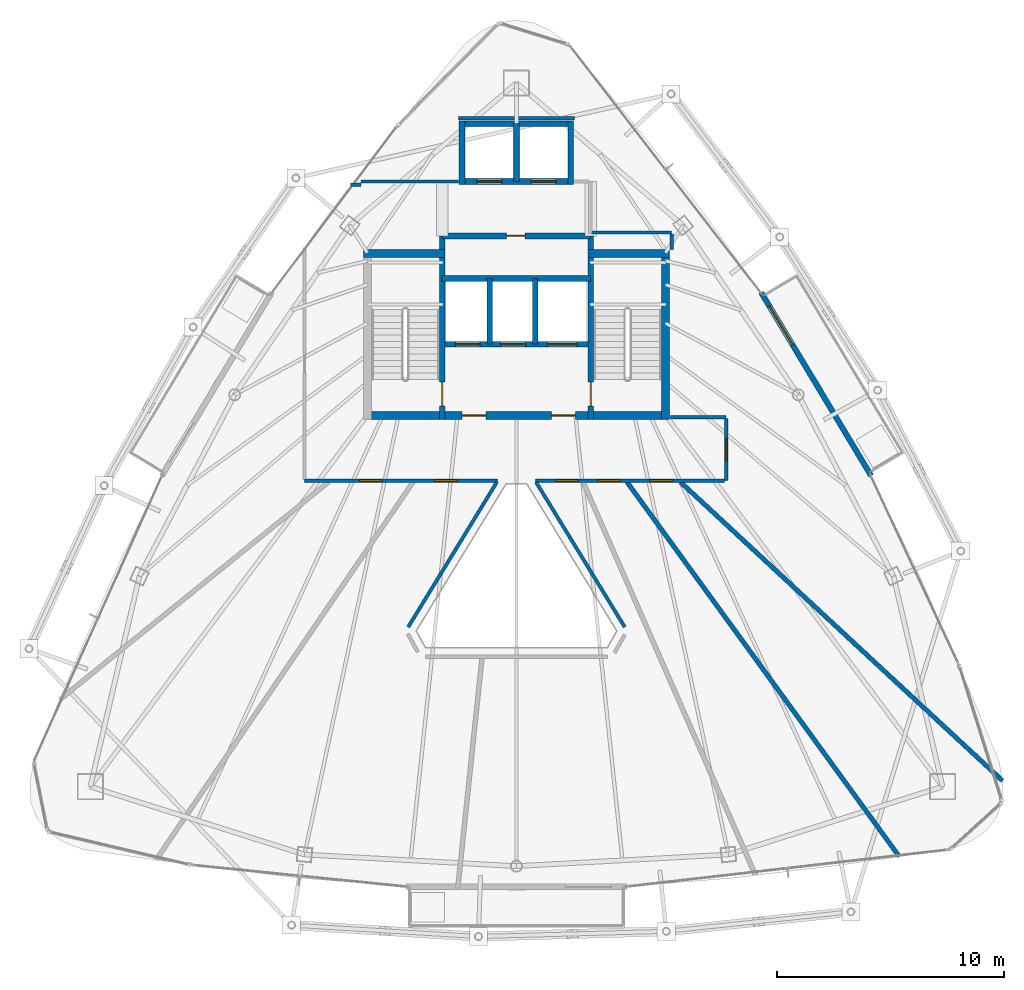
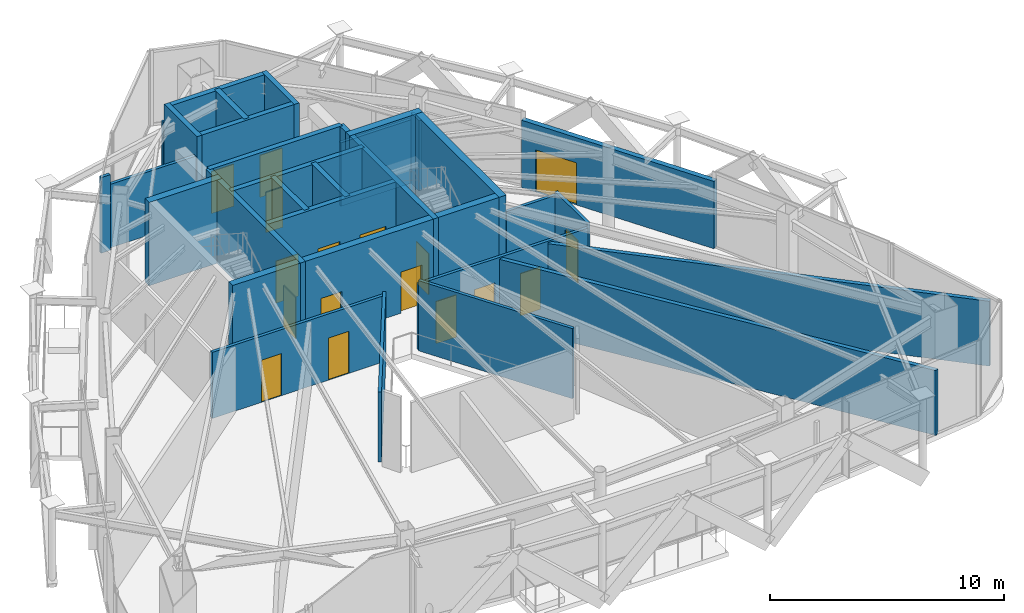
# One storey, part 19 of 22: 30 walls, 17 doors, 17 openings.
"""IFC4 building model written with IfcOpenShell, lengths in metres."""

from ifc_helpers import new_model, si_unit, direction, frame, frame_2d, origin, place, context, subcontext, project, spatial, rectangle, extrude, material, layer, layer_set, type_object, element, fill, save


model = new_model("IFC4")

# Units and contexts
model_context = context("Model", 3, precision=1e-05, world=origin(), true_north=direction((0.0, 1.0)))
body_context = subcontext(model_context, "Body", "Model", "MODEL_VIEW")
ifc_project = project(units=[si_unit("LENGTHUNIT", "METRE"), si_unit("AREAUNIT", "SQUARE_METRE"), si_unit("VOLUMEUNIT", "CUBIC_METRE"), si_unit("PLANEANGLEUNIT", "RADIAN"), si_unit("MASSUNIT", "GRAM", prefix="KILO")], contexts=[model_context])

# Site, building, storey
site_placement = place(None, origin())
site = spatial("IfcSite", under=ifc_project, at=site_placement, CompositionType="ELEMENT")
building_placement = place(site_placement, origin())
building = spatial("IfcBuilding", under=site, at=building_placement, Name="Orvanel Arch Residences", CompositionType="ELEMENT")
storey_placement = place(building_placement, frame((0.0, 0.0, 276.64990234375)))
storey = spatial("IfcBuildingStorey", under=building, at=storey_placement, Name="L79", CompositionType="ELEMENT", Elevation=276.64990234375)

# Wall, opening, door
ifc_material_1 = material(Name="Precast concrete N50 (50 MPa)", Category="concrete")
ifc_layer_1 = layer(ifc_material_1, 0.239990234375)
ifc_layer_set_1 = layer_set([ifc_layer_1], Name="Precast concrete N50 (50 MPa)")
wall_type_1 = type_object("IfcWallType", Name="EW-BAL-240", PredefinedType="SOLIDWALL", material=ifc_layer_set_1)
wall_1_placement = place(storey_placement, frame((48.64794921875, 24.069091796875, 0.0), z_axis=(0.0, 0.0, 1.0), x_axis=(-0.51434718889, 0.857582048133, 0.0)))
wall_1 = element("IfcWall", 1, at=wall_1_placement, inside=storey, type_object=wall_type_1, Name="L79 Balcony Threshold Wall Face 3", PredefinedType="SOLIDWALL", context=body_context, shape_type="SweptSolid", body=[
    extrude(rectangle(XDim=9.42529296875, YDim=0.239990234375, at=frame_2d((4.712646484375, 0.0))), origin(), (0.0, 0.0, 1.0), 3.51416015625),
])
opening_1_placement = place(wall_1_placement, frame((6.72802734375, 0.0, 0.0)))
opening_1 = element("IfcOpeningElement", 2, at=opening_1_placement, cuts=wall_1, Name="Opening DT-200", PredefinedType="OPENING", context=body_context, shape_type="SweptSolid", body=[
    extrude(rectangle(XDim=2.0, YDim=2.199951171875, at=frame_2d((1.0, 1.10009765625))), frame((0.0, 0.1298828125, 0.0), z_axis=(0.0, -1.0, 0.0), x_axis=(1.0, 0.0, 0.0)), (0.0, 0.0, 1.0), 0.260009765625),
])
ifc_material_2 = material(Name="Bronze-anodised aluminium AA6063-T6", Category="aluminium")
door_type_1 = type_object("IfcDoorType", Name="DR-TER-2000", OperationType="NOTDEFINED", PredefinedType="DOOR", material=ifc_material_2)
door_1_placement = place(opening_1_placement, origin())
door_1 = element("IfcDoor", 3, at=door_1_placement, inside=storey, type_object=door_type_1, Name="DR-L79-BAL-F3 L79 Planted Balcony Access Door Face 3", OperationType="SINGLE_SWING_LEFT", OverallHeight=2.199951171875, OverallWidth=2.0, PredefinedType="DOOR", context=body_context, shape_type="SweptSolid", body=[
    extrude(rectangle(XDim=2.0, YDim=2.199951171875, at=frame_2d((1.0, 1.10009765625))), frame((0.0, 0.02490234375, 0.0), z_axis=(0.0, -1.0, 0.0), x_axis=(1.0, 0.0, 0.0)), (0.0, 0.0, 1.0), 0.050048828125),
])
fill(opening_1, door_1)

ifc_material_3 = material(Name="Concrete N50 (50 MPa)", Category="concrete")
ifc_layer_2 = layer(ifc_material_3, 0.25)
ifc_layer_set_2 = layer_set([ifc_layer_2], Name="Concrete N50 (50 MPa)")
wall_type_2 = type_object("IfcWallType", Name="SW-CORE-250", PredefinedType="SHEAR", material=ifc_layer_set_2)
wall_2_placement = place(storey_placement, frame((29.72509765625, 26.550048828125, 0.0), z_axis=(0.0, 0.0, 1.0), x_axis=(0.0, 1.0, 0.0)))
wall_2 = element("IfcWall", 4, at=wall_2_placement, inside=storey, type_object=wall_type_2, Name="L79 West Inner Core Spine Shear Wall", PredefinedType="SHEAR", context=body_context, shape_type="SweptSolid", body=[
    extrude(rectangle(XDim=8.099853515625, YDim=0.25, at=frame_2d((4.0498046875, 0.0))), origin(), (0.0, 0.0, 1.0), 4.35009765625),
])
opening_2_placement = place(wall_2_placement, frame((0.60009765625, 0.0, 0.0)))
opening_2 = element("IfcOpeningElement", 5, at=opening_2_placement, cuts=wall_2, Name="Opening DF-120", PredefinedType="OPENING", context=body_context, shape_type="SweptSolid", body=[
    extrude(rectangle(XDim=1.050048828125, YDim=2.14990234375, at=frame_2d((0.52490234375, 1.074951171875))), frame((0.0, 0.135009765625, 0.0), z_axis=(0.0, -1.0, 0.0), x_axis=(1.0, 0.0, 0.0)), (0.0, 0.0, 1.0), 0.27001953125),
])
ifc_material_4 = material(Name="Galvanised steel fire-resisting door assembly", Category="steel")
door_type_2 = type_object("IfcDoorType", Name="DR-FD120-1050", OperationType="NOTDEFINED", PredefinedType="DOOR", material=ifc_material_4)
door_2_placement = place(opening_2_placement, origin())
door_2 = element("IfcDoor", 6, at=door_2_placement, inside=storey, type_object=door_type_2, Name="DR-L79-ST1 L79 Stair 1 Fire Door", OperationType="SINGLE_SWING_LEFT", OverallHeight=2.14990234375, OverallWidth=1.050048828125, PredefinedType="DOOR", context=body_context, shape_type="SweptSolid", body=[
    extrude(rectangle(XDim=1.050048828125, YDim=2.14990234375, at=frame_2d((0.52490234375, 1.074951171875))), frame((0.0, 0.02490234375, 0.0), z_axis=(0.0, -1.0, 0.0), x_axis=(1.0, 0.0, 0.0)), (0.0, 0.0, 1.0), 0.050048828125),
])
fill(opening_2, door_2)

wall_3_placement = place(storey_placement, frame((36.27490234375, 26.550048828125, 0.0), z_axis=(0.0, 0.0, 1.0), x_axis=(0.0, 1.0, 0.0)))
wall_3 = element("IfcWall", 7, at=wall_3_placement, inside=storey, type_object=wall_type_2, Name="L79 East Inner Core Spine Shear Wall", PredefinedType="SHEAR", context=body_context, shape_type="SweptSolid", body=[
    extrude(rectangle(XDim=8.099853515625, YDim=0.25, at=frame_2d((4.0498046875, 0.0))), origin(), (0.0, 0.0, 1.0), 4.35009765625),
])
opening_3_placement = place(wall_3_placement, frame((0.60009765625, 0.0, 0.0)))
opening_3 = element("IfcOpeningElement", 8, at=opening_3_placement, cuts=wall_3, Name="Opening DF-120", PredefinedType="OPENING", context=body_context, shape_type="SweptSolid", body=[
    extrude(rectangle(XDim=1.050048828125, YDim=2.14990234375, at=frame_2d((0.52490234375, 1.074951171875))), frame((0.0, 0.135009765625, 0.0), z_axis=(0.0, -1.0, 0.0), x_axis=(1.0, 0.0, 0.0)), (0.0, 0.0, 1.0), 0.27001953125),
])
door_3_placement = place(opening_3_placement, origin())
door_3 = element("IfcDoor", 9, at=door_3_placement, inside=storey, type_object=door_type_2, Name="DR-L79-ST2 L79 Stair 2 Fire Door", OperationType="SINGLE_SWING_RIGHT", OverallHeight=2.14990234375, OverallWidth=1.050048828125, PredefinedType="DOOR", context=body_context, shape_type="SweptSolid", body=[
    extrude(rectangle(XDim=1.050048828125, YDim=2.14990234375, at=frame_2d((0.52490234375, 1.074951171875))), frame((0.0, 0.02490234375, 0.0), z_axis=(0.0, -1.0, 0.0), x_axis=(1.0, 0.0, 0.0)), (0.0, 0.0, 1.0), 0.050048828125),
])
fill(opening_3, door_3)

# Wall, openings, doors
wall_4_placement = place(storey_placement, frame((36.27490234375, 29.875, 0.0), z_axis=(0.0, 0.0, 1.0), x_axis=(-1.0, 0.0, 0.0)))
wall_4 = element("IfcWall", 10, at=wall_4_placement, inside=storey, type_object=wall_type_2, Name="L79 Emergency Lift Front Core Shear Wall", PredefinedType="SHEAR", context=body_context, shape_type="SweptSolid", body=[
    extrude(rectangle(XDim=6.5498046875, YDim=0.25, at=frame_2d((3.27490234375, 0.0))), origin(), (0.0, 0.0, 1.0), 4.35009765625),
])
opening_4_placement = place(wall_4_placement, frame((4.875, 0.0, 0.0)))
opening_4 = element("IfcOpeningElement", 11, at=opening_4_placement, cuts=wall_4, Name="Opening LD-110", PredefinedType="OPENING", context=body_context, shape_type="SweptSolid", body=[
    extrude(rectangle(XDim=1.10009765625, YDim=2.199951171875, at=frame_2d((0.550048828125, 1.10009765625))), frame((0.0, 0.135009765625, 0.0), z_axis=(0.0, -1.0, 0.0), x_axis=(1.0, 0.0, 0.0)), (0.0, 0.0, 1.0), 0.27001953125),
])
opening_5_placement = place(wall_4_placement, frame((2.875, 0.0, 0.0)))
opening_5 = element("IfcOpeningElement", 12, at=opening_5_placement, cuts=wall_4, Name="Opening LD-110", PredefinedType="OPENING", context=body_context, shape_type="SweptSolid", body=[
    extrude(rectangle(XDim=1.10009765625, YDim=2.199951171875, at=frame_2d((0.550048828125, 1.10009765625))), frame((0.0, 0.135009765625, 0.0), z_axis=(0.0, -1.0, 0.0), x_axis=(1.0, 0.0, 0.0)), (0.0, 0.0, 1.0), 0.27001953125),
])
opening_6_placement = place(wall_4_placement, frame((0.60009765625, 0.0, 0.0)))
opening_6 = element("IfcOpeningElement", 13, at=opening_6_placement, cuts=wall_4, Name="Opening LD-130", PredefinedType="OPENING", context=body_context, shape_type="SweptSolid", body=[
    extrude(rectangle(XDim=1.300048828125, YDim=2.199951171875, at=frame_2d((0.64990234375, 1.10009765625))), frame((0.0, 0.135009765625, 0.0), z_axis=(0.0, -1.0, 0.0), x_axis=(1.0, 0.0, 0.0)), (0.0, 0.0, 1.0), 0.27001953125),
])
door_type_3 = type_object("IfcDoorType", Name="DR-LFT-1100", OperationType="NOTDEFINED", PredefinedType="DOOR", material=ifc_material_4)
door_4_placement = place(opening_4_placement, origin())
door_4 = element("IfcDoor", 14, at=door_4_placement, inside=storey, type_object=door_type_3, Name="LD-F1-L79 L79 Lift F1 Sliding Landing Door", OperationType="DOUBLE_DOOR_SLIDING", OverallHeight=2.199951171875, OverallWidth=1.10009765625, PredefinedType="DOOR", context=body_context, shape_type="SweptSolid", body=[
    extrude(rectangle(XDim=1.10009765625, YDim=2.199951171875, at=frame_2d((0.550048828125, 1.10009765625))), frame((0.0, 0.02490234375, 0.0), z_axis=(0.0, -1.0, 0.0), x_axis=(1.0, 0.0, 0.0)), (0.0, 0.0, 1.0), 0.050048828125),
])
fill(opening_4, door_4)
door_5_placement = place(opening_5_placement, origin())
door_5 = element("IfcDoor", 15, at=door_5_placement, inside=storey, type_object=door_type_3, Name="LD-F2-L79 L79 Lift F2 Sliding Landing Door", OperationType="DOUBLE_DOOR_SLIDING", OverallHeight=2.199951171875, OverallWidth=1.10009765625, PredefinedType="DOOR", context=body_context, shape_type="SweptSolid", body=[
    extrude(rectangle(XDim=1.10009765625, YDim=2.199951171875, at=frame_2d((0.550048828125, 1.10009765625))), frame((0.0, 0.02490234375, 0.0), z_axis=(0.0, -1.0, 0.0), x_axis=(1.0, 0.0, 0.0)), (0.0, 0.0, 1.0), 0.050048828125),
])
fill(opening_5, door_5)
door_type_4 = type_object("IfcDoorType", Name="DR-LFT-1300", OperationType="NOTDEFINED", PredefinedType="DOOR", material=ifc_material_4)
door_6_placement = place(opening_6_placement, origin())
door_6 = element("IfcDoor", 16, at=door_6_placement, inside=storey, type_object=door_type_4, Name="LD-G1-L79 L79 Lift G1 Sliding Landing Door", OperationType="DOUBLE_DOOR_SLIDING", OverallHeight=2.199951171875, OverallWidth=1.300048828125, PredefinedType="DOOR", context=body_context, shape_type="SweptSolid", body=[
    extrude(rectangle(XDim=1.300048828125, YDim=2.199951171875, at=frame_2d((0.64990234375, 1.10009765625))), frame((0.0, 0.02490234375, 0.0), z_axis=(0.0, -1.0, 0.0), x_axis=(1.0, 0.0, 0.0)), (0.0, 0.0, 1.0), 0.050048828125),
])
fill(opening_6, door_6)

# Walls
wall_5_placement = place(storey_placement, frame((29.72509765625, 32.77490234375, 0.0), z_axis=(0.0, 0.0, 1.0), x_axis=(1.0, 0.0, 0.0)))
element("IfcWall", 17, at=wall_5_placement, inside=storey, type_object=wall_type_2, Name="L79 Emergency Lift Back Core Shear Wall", PredefinedType="SHEAR", context=body_context, shape_type="SweptSolid", body=[
    extrude(rectangle(XDim=6.5498046875, YDim=0.25, at=frame_2d((3.27490234375, 0.0))), origin(), (0.0, 0.0, 1.0), 4.35009765625),
])
for number, where, z_axis, x_axis, name in (
    (18, (31.824951171875, 29.875, 0.0), (0.0, 0.0, 1.0), (0.0, 1.0, 0.0), "L79 Emergency Lift Inter-Shaft Wall F12"),
    (19, (33.824951171875, 29.875, 0.0), (0.0, 0.0, 1.0), (0.0, 1.0, 0.0), "L79 Emergency Lift Inter-Shaft Wall F2G"),
):
    element("IfcWall", number, at=place(storey_placement, frame(where, z_axis=z_axis, x_axis=x_axis)), inside=storey, type_object=wall_type_2, Name=name, PredefinedType="SHEAR", context=body_context, shape_type="SweptSolid", body=[
        extrude(rectangle(XDim=2.89990234375, YDim=0.25, at=frame_2d((1.449951171875, 0.0))), origin(), (0.0, 0.0, 1.0), 4.35009765625),
    ])

# Wall, opening, door
wall_6_placement = place(storey_placement, frame((29.72509765625, 34.64990234375, 0.0), z_axis=(0.0, 0.0, 1.0), x_axis=(1.0, 0.0, 0.0)))
wall_6 = element("IfcWall", 20, at=wall_6_placement, inside=storey, type_object=wall_type_2, Name="L79 Core Service Band North Shear Wall", PredefinedType="SHEAR", context=body_context, shape_type="SweptSolid", body=[
    extrude(rectangle(XDim=6.5498046875, YDim=0.25, at=frame_2d((3.27490234375, 0.0))), origin(), (0.0, 0.0, 1.0), 4.35009765625),
])
opening_7_placement = place(wall_6_placement, frame((2.840087890625, 0.0, 0.0)))
opening_7 = element("IfcOpeningElement", 21, at=opening_7_placement, cuts=wall_6, Name="Opening DS-082", PredefinedType="OPENING", context=body_context, shape_type="SweptSolid", body=[
    extrude(rectangle(XDim=0.820068359375, YDim=2.10009765625, at=frame_2d((0.41015625, 1.050048828125))), frame((0.0, 0.135009765625, 0.0), z_axis=(0.0, -1.0, 0.0), x_axis=(1.0, 0.0, 0.0)), (0.0, 0.0, 1.0), 0.27001953125),
])
door_type_5 = type_object("IfcDoorType", Name="DR-SVC-820", OperationType="NOTDEFINED", PredefinedType="DOOR", material=ifc_material_4)
door_7_placement = place(opening_7_placement, origin())
door_7 = element("IfcDoor", 22, at=door_7_placement, inside=storey, type_object=door_type_5, Name="DR-L79-CSVC-1 L79 Housekeeping Linen Store Door", OperationType="SINGLE_SWING_LEFT", OverallHeight=2.10009765625, OverallWidth=0.820068359375, PredefinedType="DOOR", context=body_context, shape_type="SweptSolid", body=[
    extrude(rectangle(XDim=0.820068359375, YDim=2.10009765625, at=frame_2d((0.41015625, 1.050048828125))), frame((0.0, 0.02490234375, 0.0), z_axis=(0.0, -1.0, 0.0), x_axis=(1.0, 0.0, 0.0)), (0.0, 0.0, 1.0), 0.050048828125),
])
fill(opening_7, door_7)

# Wall, openings, doors
wall_7_placement = place(storey_placement, frame((35.52490234375, 37.050048828125, 0.0), z_axis=(0.0, 0.0, 1.0), x_axis=(-1.0, 0.0, 0.0)))
wall_7 = element("IfcWall", 23, at=wall_7_placement, inside=storey, type_object=wall_type_2, Name="L79 Passenger Lift Bank Front Shear Wall", PredefinedType="SHEAR", context=body_context, shape_type="SweptSolid", body=[
    extrude(rectangle(XDim=5.0498046875, YDim=0.25, at=frame_2d((2.52490234375, 0.0))), origin(), (0.0, 0.0, 1.0), 4.35009765625),
])
opening_8_placement = place(wall_7_placement, frame((3.175048828125, 0.0, 0.0)))
opening_8 = element("IfcOpeningElement", 24, at=opening_8_placement, cuts=wall_7, Name="Opening LD-110", PredefinedType="OPENING", context=body_context, shape_type="SweptSolid", body=[
    extrude(rectangle(XDim=1.10009765625, YDim=2.199951171875, at=frame_2d((0.550048828125, 1.10009765625))), frame((0.0, 0.135009765625, 0.0), z_axis=(0.0, -1.0, 0.0), x_axis=(1.0, 0.0, 0.0)), (0.0, 0.0, 1.0), 0.27001953125),
])
opening_9_placement = place(wall_7_placement, frame((0.77490234375, 0.0, 0.0)))
opening_9 = element("IfcOpeningElement", 25, at=opening_9_placement, cuts=wall_7, Name="Opening LD-110", PredefinedType="OPENING", context=body_context, shape_type="SweptSolid", body=[
    extrude(rectangle(XDim=1.10009765625, YDim=2.199951171875, at=frame_2d((0.550048828125, 1.10009765625))), frame((0.0, 0.135009765625, 0.0), z_axis=(0.0, -1.0, 0.0), x_axis=(1.0, 0.0, 0.0)), (0.0, 0.0, 1.0), 0.27001953125),
])
door_8_placement = place(opening_8_placement, origin())
door_8 = element("IfcDoor", 26, at=door_8_placement, inside=storey, type_object=door_type_3, Name="LD-P5-L79 L79 Passenger Lift P5 Sliding Landing Door", OperationType="DOUBLE_DOOR_SLIDING", OverallHeight=2.199951171875, OverallWidth=1.10009765625, PredefinedType="DOOR", context=body_context, shape_type="SweptSolid", body=[
    extrude(rectangle(XDim=1.10009765625, YDim=2.199951171875, at=frame_2d((0.550048828125, 1.10009765625))), frame((0.0, 0.02490234375, 0.0), z_axis=(0.0, -1.0, 0.0), x_axis=(1.0, 0.0, 0.0)), (0.0, 0.0, 1.0), 0.050048828125),
])
fill(opening_8, door_8)
door_9_placement = place(opening_9_placement, origin())
door_9 = element("IfcDoor", 27, at=door_9_placement, inside=storey, type_object=door_type_3, Name="LD-P6-L79 L79 Passenger Lift P6 Sliding Landing Door", OperationType="DOUBLE_DOOR_SLIDING", OverallHeight=2.199951171875, OverallWidth=1.10009765625, PredefinedType="DOOR", context=body_context, shape_type="SweptSolid", body=[
    extrude(rectangle(XDim=1.10009765625, YDim=2.199951171875, at=frame_2d((0.550048828125, 1.10009765625))), frame((0.0, 0.02490234375, 0.0), z_axis=(0.0, -1.0, 0.0), x_axis=(1.0, 0.0, 0.0)), (0.0, 0.0, 1.0), 0.050048828125),
])
fill(opening_9, door_9)

# Walls
wall_8_placement = place(storey_placement, frame((30.47509765625, 39.60009765625, 0.0), z_axis=(0.0, 0.0, 1.0), x_axis=(1.0, 0.0, 0.0)))
element("IfcWall", 28, at=wall_8_placement, inside=storey, type_object=wall_type_2, Name="L79 Passenger Lift Bank North Shear Wall", PredefinedType="SHEAR", context=body_context, shape_type="SweptSolid", body=[
    extrude(rectangle(XDim=5.0498046875, YDim=0.25, at=frame_2d((2.52490234375, 0.0))), origin(), (0.0, 0.0, 1.0), 4.35009765625),
])
for number, where, z_axis, x_axis, name in (
    (29, (30.60009765625, 36.925048828125, 0.0), (0.0, 0.0, 1.0), (0.0, 1.0, 0.0), "L79 Passenger Lift Bank West Shear Wall"),
    (30, (35.39990234375, 36.925048828125, 0.0), (0.0, 0.0, 1.0), (0.0, 1.0, 0.0), "L79 Passenger Lift Bank East Shear Wall"),
):
    element("IfcWall", number, at=place(storey_placement, frame(where, z_axis=z_axis, x_axis=x_axis)), inside=storey, type_object=wall_type_2, Name=name, PredefinedType="SHEAR", context=body_context, shape_type="SweptSolid", body=[
        extrude(rectangle(XDim=2.800048828125, YDim=0.25, at=frame_2d((1.39990234375, 0.0))), origin(), (0.0, 0.0, 1.0), 4.35009765625),
    ])
wall_9_placement = place(storey_placement, frame((33.0, 37.050048828125, 0.0), z_axis=(0.0, 0.0, 1.0), x_axis=(0.0, 1.0, 0.0)))
element("IfcWall", 31, at=wall_9_placement, inside=storey, type_object=wall_type_2, Name="L79 Passenger Lift Inter-Shaft Wall P56", PredefinedType="SHEAR", context=body_context, shape_type="SweptSolid", body=[
    extrude(rectangle(XDim=2.550048828125, YDim=0.25, at=frame_2d((1.27490234375, 0.0))), origin(), (0.0, 0.0, 1.0), 4.35009765625),
])

# Wall, openings, doors
ifc_layer_3 = layer(ifc_material_3, 0.35009765625)
ifc_layer_set_3 = layer_set([ifc_layer_3], Name="Concrete N50 (50 MPa)")
wall_type_3 = type_object("IfcWallType", Name="SW-CORE-350", PredefinedType="SHEAR", material=ifc_layer_set_3)
wall_10_placement = place(storey_placement, frame((26.25, 26.72509765625, 0.0), z_axis=(0.0, 0.0, 1.0), x_axis=(1.0, 0.0, 0.0)))
wall_10 = element("IfcWall", 32, at=wall_10_placement, inside=storey, type_object=wall_type_3, Name="L79 South Core Shear Wall", PredefinedType="SHEAR", context=body_context, shape_type="SweptSolid", body=[
    extrude(rectangle(XDim=13.5, YDim=0.35009765625, at=frame_2d((6.75, 0.0))), origin(), (0.0, 0.0, 1.0), 4.35009765625),
])
opening_10_placement = place(wall_10_placement, frame((4.35009765625, 0.0, 0.0)))
opening_10 = element("IfcOpeningElement", 33, at=opening_10_placement, cuts=wall_10, Name="Opening DF-060", PredefinedType="OPENING", context=body_context, shape_type="SweptSolid", body=[
    extrude(rectangle(XDim=1.050048828125, YDim=2.14990234375, at=frame_2d((0.52490234375, 1.074951171875))), frame((0.0, 0.18505859375, 0.0), z_axis=(0.0, -1.0, 0.0), x_axis=(1.0, 0.0, 0.0)), (0.0, 0.0, 1.0), 0.3701171875),
])
opening_11_placement = place(wall_10_placement, frame((8.300048828125, 0.0, 0.0)))
opening_11 = element("IfcOpeningElement", 34, at=opening_11_placement, cuts=wall_10, Name="Opening DF-060", PredefinedType="OPENING", context=body_context, shape_type="SweptSolid", body=[
    extrude(rectangle(XDim=1.050048828125, YDim=2.14990234375, at=frame_2d((0.52490234375, 1.074951171875))), frame((0.0, 0.18505859375, 0.0), z_axis=(0.0, -1.0, 0.0), x_axis=(1.0, 0.0, 0.0)), (0.0, 0.0, 1.0), 0.3701171875),
])
door_type_6 = type_object("IfcDoorType", Name="DR-FD60-1050", OperationType="NOTDEFINED", PredefinedType="DOOR", material=ifc_material_4)
door_10_placement = place(opening_10_placement, origin())
door_10 = element("IfcDoor", 35, at=door_10_placement, inside=storey, type_object=door_type_6, Name="DR-L79-FFL-W L79 West Smoke Lobby Door", OperationType="SINGLE_SWING_LEFT", OverallHeight=2.14990234375, OverallWidth=1.050048828125, PredefinedType="DOOR", context=body_context, shape_type="SweptSolid", body=[
    extrude(rectangle(XDim=1.050048828125, YDim=2.14990234375, at=frame_2d((0.52490234375, 1.074951171875))), frame((0.0, 0.02490234375, 0.0), z_axis=(0.0, -1.0, 0.0), x_axis=(1.0, 0.0, 0.0)), (0.0, 0.0, 1.0), 0.050048828125),
])
fill(opening_10, door_10)
door_11_placement = place(opening_11_placement, origin())
door_11 = element("IfcDoor", 36, at=door_11_placement, inside=storey, type_object=door_type_6, Name="DR-L79-FFL-E L79 East Smoke Lobby Door", OperationType="SINGLE_SWING_RIGHT", OverallHeight=2.14990234375, OverallWidth=1.050048828125, PredefinedType="DOOR", context=body_context, shape_type="SweptSolid", body=[
    extrude(rectangle(XDim=1.050048828125, YDim=2.14990234375, at=frame_2d((0.52490234375, 1.074951171875))), frame((0.0, 0.02490234375, 0.0), z_axis=(0.0, -1.0, 0.0), x_axis=(1.0, 0.0, 0.0)), (0.0, 0.0, 1.0), 0.050048828125),
])
fill(opening_11, door_11)

# Walls
wall_11_placement = place(storey_placement, frame((26.25, 33.875, 0.0), z_axis=(0.0, 0.0, 1.0), x_axis=(1.0, 0.0, 0.0)))
element("IfcWall", 37, at=wall_11_placement, inside=storey, type_object=wall_type_3, Name="L79 West Stair North Shear Wall", PredefinedType="SHEAR", context=body_context, shape_type="SweptSolid", body=[
    extrude(rectangle(XDim=3.60009765625, YDim=0.35009765625, at=frame_2d((1.800048828125, 0.0))), origin(), (0.0, 0.0, 1.0), 4.35009765625),
])
wall_12_placement = place(storey_placement, frame((39.574951171875, 26.550048828125, 0.0), z_axis=(0.0, 0.0, 1.0), x_axis=(0.0, 1.0, 0.0)))
element("IfcWall", 38, at=wall_12_placement, inside=storey, type_object=wall_type_3, Name="L79 East Stair Shear Wall", PredefinedType="SHEAR", context=body_context, shape_type="SweptSolid", body=[
    extrude(rectangle(XDim=7.5, YDim=0.35009765625, at=frame_2d((3.75, 0.0))), origin(), (0.0, 0.0, 1.0), 4.35009765625),
])
wall_13_placement = place(storey_placement, frame((36.14990234375, 33.875, 0.0), z_axis=(0.0, 0.0, 1.0), x_axis=(1.0, 0.0, 0.0)))
element("IfcWall", 39, at=wall_13_placement, inside=storey, type_object=wall_type_3, Name="L79 East Stair North Shear Wall", PredefinedType="SHEAR", context=body_context, shape_type="SweptSolid", body=[
    extrude(rectangle(XDim=3.60009765625, YDim=0.35009765625, at=frame_2d((1.800048828125, 0.0))), origin(), (0.0, 0.0, 1.0), 4.35009765625),
])

# Wall, openings, doors
ifc_material_5 = material(Name="Fire-rated plasterboard lined steel stud partition", Category="steel")
ifc_layer_4 = layer(ifc_material_5, 0.14990234375)
ifc_layer_set_4 = layer_set([ifc_layer_4], Name="Fire-rated plasterboard lined steel stud partition")
wall_type_4 = type_object("IfcWallType", Name="W-COR-150", PredefinedType="PARTITIONING", material=ifc_layer_set_4)
wall_14_placement = place(storey_placement, frame((32.16796875, 23.85009765625, 0.0), z_axis=(0.0, 0.0, 1.0), x_axis=(-1.0, 0.0, 0.0)))
wall_14 = element("IfcWall", 40, at=wall_14_placement, inside=storey, type_object=wall_type_4, Name="L79 Community Corridor Wall", PredefinedType="PARTITIONING", context=body_context, shape_type="SweptSolid", body=[
    extrude(rectangle(XDim=8.51806640625, YDim=0.14990234375, at=frame_2d((4.259033203125, 0.0))), origin(), (0.0, 0.0, 1.0), 3.455078125),
])
opening_12_placement = place(wall_14_placement, frame((5.10205078125, 0.0, 0.0)))
opening_12 = element("IfcOpeningElement", 41, at=opening_12_placement, cuts=wall_14, Name="Opening DP-100", PredefinedType="OPENING", context=body_context, shape_type="SweptSolid", body=[
    extrude(rectangle(XDim=1.0, YDim=2.199951171875, at=frame_2d((0.5, 1.10009765625))), frame((0.0, 0.0849609375, 0.0), z_axis=(0.0, -1.0, 0.0), x_axis=(1.0, 0.0, 0.0)), (0.0, 0.0, 1.0), 0.169921875),
])
opening_13_placement = place(wall_14_placement, frame((1.781005859375, 0.0, 0.0)))
opening_13 = element("IfcOpeningElement", 42, at=opening_13_placement, cuts=wall_14, Name="Opening DP-100", PredefinedType="OPENING", context=body_context, shape_type="SweptSolid", body=[
    extrude(rectangle(XDim=1.0, YDim=2.199951171875, at=frame_2d((0.5, 1.10009765625))), frame((0.0, 0.0849609375, 0.0), z_axis=(0.0, -1.0, 0.0), x_axis=(1.0, 0.0, 0.0)), (0.0, 0.0, 1.0), 0.169921875),
])
ifc_material_6 = material(Name="Solid-core European oak veneer fire door leaf", Category="wood")
door_type_7 = type_object("IfcDoorType", Name="DR-POD-1000", OperationType="NOTDEFINED", PredefinedType="DOOR", material=ifc_material_6)
door_12_placement = place(opening_12_placement, origin())
door_12 = element("IfcDoor", 43, at=door_12_placement, inside=storey, type_object=door_type_7, Name="DR-L79-STR2-4 L79 Observatory Equipment Store 2 Door", OperationType="SINGLE_SWING_LEFT", OverallHeight=2.199951171875, OverallWidth=1.0, PredefinedType="DOOR", context=body_context, shape_type="SweptSolid", body=[
    extrude(rectangle(XDim=1.0, YDim=2.199951171875, at=frame_2d((0.5, 1.10009765625))), frame((0.0, 0.02490234375, 0.0), z_axis=(0.0, -1.0, 0.0), x_axis=(1.0, 0.0, 0.0)), (0.0, 0.0, 1.0), 0.050048828125),
])
fill(opening_12, door_12)
door_13_placement = place(opening_13_placement, origin())
door_13 = element("IfcDoor", 44, at=door_13_placement, inside=storey, type_object=door_type_7, Name="DR-L79-LNG-6 L79 Resident Observatory Lounge Door", OperationType="SINGLE_SWING_LEFT", OverallHeight=2.199951171875, OverallWidth=1.0, PredefinedType="DOOR", context=body_context, shape_type="SweptSolid", body=[
    extrude(rectangle(XDim=1.0, YDim=2.199951171875, at=frame_2d((0.5, 1.10009765625))), frame((0.0, 0.02490234375, 0.0), z_axis=(0.0, -1.0, 0.0), x_axis=(1.0, 0.0, 0.0)), (0.0, 0.0, 1.0), 0.050048828125),
])
fill(opening_13, door_13)

# Walls
wall_15_placement = place(storey_placement, frame((25.68701171875, 36.89990234375, 0.0), z_axis=(0.0, 0.0, 1.0), x_axis=(1.0, 0.0, 0.0)))
element("IfcWall", 45, at=wall_15_placement, inside=storey, type_object=wall_type_4, Name="L79 Community Corridor Wall", PredefinedType="PARTITIONING", context=body_context, shape_type="SweptSolid", body=[
    extrude(rectangle(XDim=0.462890625, YDim=0.14990234375, at=frame_2d((0.2314453125, 0.0))), origin(), (0.0, 0.0, 1.0), 3.9501953125),
])
wall_16_placement = place(storey_placement, frame((39.7900390625, 26.64990234375, 0.0), z_axis=(0.0, 0.0, 1.0), x_axis=(1.0, 0.0, 0.0)))
element("IfcWall", 46, at=wall_16_placement, inside=storey, type_object=wall_type_4, Name="L79 Community Corridor Wall", PredefinedType="PARTITIONING", context=body_context, shape_type="SweptSolid", body=[
    extrude(rectangle(XDim=2.4599609375, YDim=0.14990234375, at=frame_2d((1.22998046875, 0.0))), origin(), (0.0, 0.0, 1.0), 3.455078125),
])

# Wall, opening, door
wall_17_placement = place(storey_placement, frame((42.25, 26.590087890625, 0.0), z_axis=(0.0, 0.0, 1.0), x_axis=(0.0, -1.0, 0.0)))
wall_17 = element("IfcWall", 47, at=wall_17_placement, inside=storey, type_object=wall_type_4, Name="L79 Community Corridor Wall", PredefinedType="PARTITIONING", context=body_context, shape_type="SweptSolid", body=[
    extrude(rectangle(XDim=2.739990234375, YDim=0.14990234375, at=frame_2d((1.3701171875, 0.0))), origin(), (0.0, 0.0, 1.0), 3.6630859375),
])
opening_14_placement = place(wall_17_placement, frame((0.8701171875, 0.0, 0.0)))
opening_14 = element("IfcOpeningElement", 48, at=opening_14_placement, cuts=wall_17, Name="Opening DP-100", PredefinedType="OPENING", context=body_context, shape_type="SweptSolid", body=[
    extrude(rectangle(XDim=1.0, YDim=2.199951171875, at=frame_2d((0.5, 1.10009765625))), frame((0.0, 0.0849609375, 0.0), z_axis=(0.0, -1.0, 0.0), x_axis=(1.0, 0.0, 0.0)), (0.0, 0.0, 1.0), 0.169921875),
])
door_14_placement = place(opening_14_placement, origin())
door_14 = element("IfcDoor", 49, at=door_14_placement, inside=storey, type_object=door_type_7, Name="DR-L79-KIT-1 L79 Conservatory Tea Kitchen Door", OperationType="SINGLE_SWING_LEFT", OverallHeight=2.199951171875, OverallWidth=1.0, PredefinedType="DOOR", context=body_context, shape_type="SweptSolid", body=[
    extrude(rectangle(XDim=1.0, YDim=2.199951171875, at=frame_2d((0.5, 1.10009765625))), frame((0.0, 0.02490234375, 0.0), z_axis=(0.0, -1.0, 0.0), x_axis=(1.0, 0.0, 0.0)), (0.0, 0.0, 1.0), 0.050048828125),
])
fill(opening_14, door_14)

# Wall, openings, doors
wall_18_placement = place(storey_placement, frame((42.18994140625, 23.85009765625, 0.0), z_axis=(0.0, 0.0, 1.0), x_axis=(-1.0, 0.0, 0.0)))
wall_18 = element("IfcWall", 50, at=wall_18_placement, inside=storey, type_object=wall_type_4, Name="L79 Community Corridor Wall", PredefinedType="PARTITIONING", context=body_context, shape_type="SweptSolid", body=[
    extrude(rectangle(XDim=8.35791015625, YDim=0.14990234375, at=frame_2d((4.178955078125, 0.0))), origin(), (0.0, 0.0, 1.0), 3.455078125),
])
opening_15_placement = place(wall_18_placement, frame((4.60302734375, 0.0, 0.0)))
opening_15 = element("IfcOpeningElement", 51, at=opening_15_placement, cuts=wall_18, Name="Opening DP-100", PredefinedType="OPENING", context=body_context, shape_type="SweptSolid", body=[
    extrude(rectangle(XDim=1.0, YDim=2.199951171875, at=frame_2d((0.5, 1.10009765625))), frame((0.0, 0.0849609375, 0.0), z_axis=(0.0, -1.0, 0.0), x_axis=(1.0, 0.0, 0.0)), (0.0, 0.0, 1.0), 0.169921875),
])
opening_16_placement = place(wall_18_placement, frame((2.30810546875, 0.0, 0.0)))
opening_16 = element("IfcOpeningElement", 52, at=opening_16_placement, cuts=wall_18, Name="Opening DP-100", PredefinedType="OPENING", context=body_context, shape_type="SweptSolid", body=[
    extrude(rectangle(XDim=1.0, YDim=2.199951171875, at=frame_2d((0.5, 1.10009765625))), frame((0.0, 0.0849609375, 0.0), z_axis=(0.0, -1.0, 0.0), x_axis=(1.0, 0.0, 0.0)), (0.0, 0.0, 1.0), 0.169921875),
])
opening_17_placement = place(wall_18_placement, frame((6.466064453125, 0.0, 0.0)))
opening_17 = element("IfcOpeningElement", 53, at=opening_17_placement, cuts=wall_18, Name="Opening DP-100", PredefinedType="OPENING", context=body_context, shape_type="SweptSolid", body=[
    extrude(rectangle(XDim=1.0, YDim=2.199951171875, at=frame_2d((0.5, 1.10009765625))), frame((0.0, 0.0849609375, 0.0), z_axis=(0.0, -1.0, 0.0), x_axis=(1.0, 0.0, 0.0)), (0.0, 0.0, 1.0), 0.169921875),
])
door_15_placement = place(opening_15_placement, origin())
door_15 = element("IfcDoor", 54, at=door_15_placement, inside=storey, type_object=door_type_7, Name="DR-L79-OFC-2 L79 Summit Work Office Door", OperationType="SINGLE_SWING_LEFT", OverallHeight=2.199951171875, OverallWidth=1.0, PredefinedType="DOOR", context=body_context, shape_type="SweptSolid", body=[
    extrude(rectangle(XDim=1.0, YDim=2.199951171875, at=frame_2d((0.5, 1.10009765625))), frame((0.0, 0.02490234375, 0.0), z_axis=(0.0, -1.0, 0.0), x_axis=(1.0, 0.0, 0.0)), (0.0, 0.0, 1.0), 0.050048828125),
])
fill(opening_15, door_15)
door_16_placement = place(opening_16_placement, origin())
door_16 = element("IfcDoor", 55, at=door_16_placement, inside=storey, type_object=door_type_7, Name="DR-L79-STR1-3 L79 Observatory Equipment Store 1 Door", OperationType="SINGLE_SWING_LEFT", OverallHeight=2.199951171875, OverallWidth=1.0, PredefinedType="DOOR", context=body_context, shape_type="SweptSolid", body=[
    extrude(rectangle(XDim=1.0, YDim=2.199951171875, at=frame_2d((0.5, 1.10009765625))), frame((0.0, 0.02490234375, 0.0), z_axis=(0.0, -1.0, 0.0), x_axis=(1.0, 0.0, 0.0)), (0.0, 0.0, 1.0), 0.050048828125),
])
fill(opening_16, door_16)
door_17_placement = place(opening_17_placement, origin())
door_17 = element("IfcDoor", 56, at=door_17_placement, inside=storey, type_object=door_type_7, Name="DR-L79-STU-5 L79 Summit Quiet Study Room Door", OperationType="SINGLE_SWING_LEFT", OverallHeight=2.199951171875, OverallWidth=1.0, PredefinedType="DOOR", context=body_context, shape_type="SweptSolid", body=[
    extrude(rectangle(XDim=1.0, YDim=2.199951171875, at=frame_2d((0.5, 1.10009765625))), frame((0.0, 0.02490234375, 0.0), z_axis=(0.0, -1.0, 0.0), x_axis=(1.0, 0.0, 0.0)), (0.0, 0.0, 1.0), 0.050048828125),
])
fill(opening_17, door_17)

# Walls
wall_19_placement = place(storey_placement, frame((26.14990234375, 37.050048828125, 0.0), z_axis=(0.0, 0.0, 1.0), x_axis=(1.0, 0.0, 0.0)))
element("IfcWall", 57, at=wall_19_placement, inside=storey, type_object=wall_type_4, Name="L79 Core Perimeter Wall", PredefinedType="PARTITIONING", context=body_context, shape_type="SweptSolid", body=[
    extrude(rectangle(XDim=4.300048828125, YDim=0.14990234375, at=frame_2d((2.14990234375, 0.0))), origin(), (0.0, 0.0, 1.0), 3.315185546875),
])
wall_20_placement = place(storey_placement, frame((30.449951171875, 39.85009765625, 0.0), z_axis=(0.0, 0.0, 1.0), x_axis=(1.0, 0.0, 0.0)))
element("IfcWall", 58, at=wall_20_placement, inside=storey, type_object=wall_type_4, Name="L79 Core Perimeter Wall", PredefinedType="PARTITIONING", context=body_context, shape_type="SweptSolid", body=[
    extrude(rectangle(XDim=5.10009765625, YDim=0.14990234375, at=frame_2d((2.550048828125, 0.0))), origin(), (0.0, 0.0, 1.0), 3.382080078125),
])
wall_21_placement = place(storey_placement, frame((36.31005859375, 34.800048828125, 0.0), z_axis=(0.0, 0.0, 1.0), x_axis=(1.0, 0.0, 0.0)))
element("IfcWall", 59, at=wall_21_placement, inside=storey, type_object=wall_type_4, Name="L79 Core Perimeter Wall", PredefinedType="PARTITIONING", context=body_context, shape_type="SweptSolid", body=[
    extrude(rectangle(XDim=3.5400390625, YDim=0.14990234375, at=frame_2d((1.77001953125, 0.0))), origin(), (0.0, 0.0, 1.0), 3.315185546875),
])
wall_22_placement = place(storey_placement, frame((39.85009765625, 34.739990234375, 0.0), z_axis=(0.0, 0.0, 1.0), x_axis=(0.0, -1.0, 0.0)))
element("IfcWall", 60, at=wall_22_placement, inside=storey, type_object=wall_type_4, Name="L79 Core Perimeter Wall", PredefinedType="PARTITIONING", context=body_context, shape_type="SweptSolid", body=[
    extrude(rectangle(XDim=0.68994140625, YDim=0.14990234375, at=frame_2d((0.344970703125, 0.0))), origin(), (0.0, 0.0, 1.0), 3.6630859375),
])
for number, where, z_axis, x_axis, name in (
    (61, (33.863037109375, 23.7900390625, 0.0), (0.0, 0.0, 1.0), (0.521913594497, -0.852998358661, 0.0), "L79 Atrium Glazed Wall"),
    (62, (28.22412109375, 17.39501953125, 0.0), (0.0, 0.0, 1.0), (0.521913594497, 0.852998358661, 0.0), "L79 Atrium Glazed Wall"),
):
    element("IfcWall", number, at=place(storey_placement, frame(where, z_axis=z_axis, x_axis=x_axis)), inside=storey, type_object=wall_type_4, Name=name, PredefinedType="PARTITIONING", context=body_context, shape_type="SweptSolid", body=[
        extrude(rectangle(XDim=7.4970703125, YDim=0.14990234375, at=frame_2d((3.74853515625, 0.0))), origin(), (0.0, 0.0, 1.0), 3.6630859375),
    ])
ifc_layer_5 = layer(ifc_material_5, 0.199951171875)
ifc_layer_set_5 = layer_set([ifc_layer_5], Name="Fire-rated plasterboard lined steel stud partition")
wall_type_5 = type_object("IfcWallType", Name="W-DEM-200", PredefinedType="PARTITIONING", material=ifc_layer_set_5)
wall_23_placement = place(storey_placement, frame((54.443115234375, 10.615966796875, 0.0), z_axis=(0.0, 0.0, 1.0), x_axis=(-0.733260960547, 0.679947324238, 0.0)))
element("IfcWall", 63, at=wall_23_placement, inside=storey, type_object=wall_type_5, Name="L79 Amenity Wall", PredefinedType="PARTITIONING", context=body_context, shape_type="SweptSolid", body=[
    extrude(rectangle(XDim=19.375244140625, YDim=0.199951171875, at=frame_2d((9.6875, 0.0))), origin(), (0.0, 0.0, 1.0), 3.382080078125),
])
wall_24_placement = place(storey_placement, frame((49.889892578125, 7.26611328125, 0.0), z_axis=(0.0, 0.0, 1.0), x_axis=(-0.587997588102, 0.808862680797, 0.0)))
element("IfcWall", 64, at=wall_24_placement, inside=storey, type_object=wall_type_5, Name="L79 Amenity Wall", PredefinedType="PARTITIONING", context=body_context, shape_type="SweptSolid", body=[
    extrude(rectangle(XDim=20.4287109375, YDim=0.199951171875, at=frame_2d((10.21435546875, 0.0))), origin(), (0.0, 0.0, 1.0), 3.382080078125),
])

save(model, "model.ifc")
